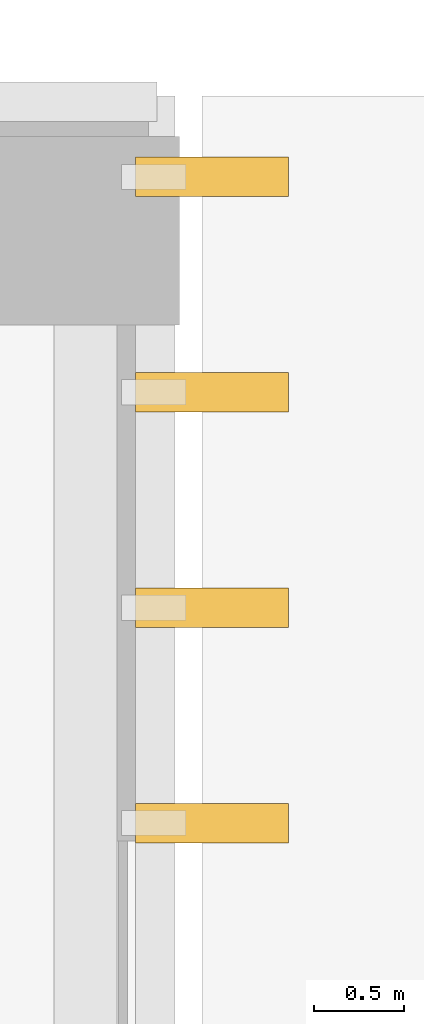
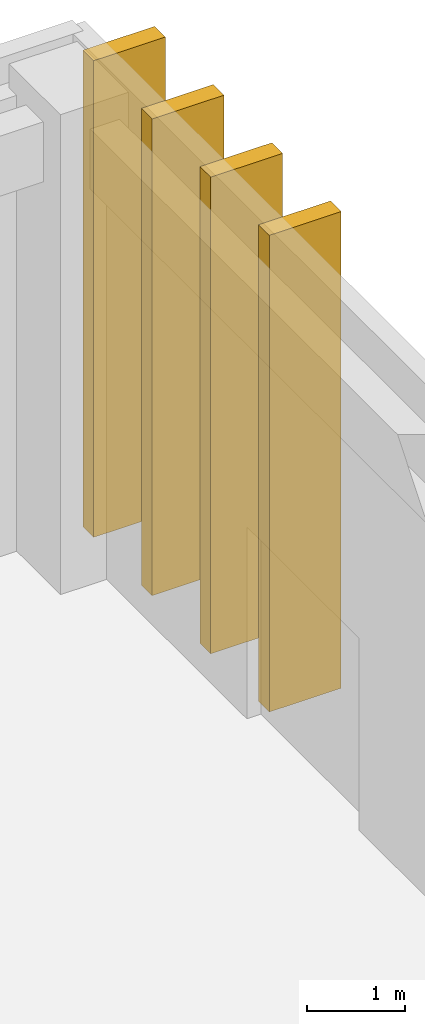
# One storey, part 84 of 87: 4 coverings, 4 shading devices.
"""IFC4 building model written with IfcOpenShell, lengths in metres."""

from ifc_helpers import new_model, si_unit, direction, frame, origin, origin_2d, place, context, subcontext, project, spatial, rectangle, extrude, material, layer, layer_set, type_object, element, save


model = new_model("IFC4")

# Units and contexts
model_context = context("Model", 3, precision=1e-05, world=origin(), true_north=direction((0.0, 1.0)))
body_context = subcontext(model_context, "Body", "Model", "MODEL_VIEW")
ifc_project = project(units=[si_unit("LENGTHUNIT", "METRE"), si_unit("AREAUNIT", "SQUARE_METRE"), si_unit("VOLUMEUNIT", "CUBIC_METRE"), si_unit("PLANEANGLEUNIT", "RADIAN"), si_unit("MASSUNIT", "GRAM", prefix="KILO")], contexts=[model_context])

# Site, building, storey
site_placement = place(None, origin())
site = spatial("IfcSite", under=ifc_project, at=site_placement, CompositionType="ELEMENT")
building_placement = place(site_placement, origin())
building = spatial("IfcBuilding", under=site, at=building_placement, Name="Nakhvara Creek Congress Hotel", CompositionType="ELEMENT")
storey_placement = place(building_placement, origin())
storey = spatial("IfcBuildingStorey", under=building, at=storey_placement, Name="L00", CompositionType="ELEMENT", Elevation=0.0)

# Coverings
ifc_material_1 = material(Name="Honed pale Omani limestone architectural cladding", Category="masonry")
ifc_layer = layer(ifc_material_1, 0.219970703125)
ifc_layer_set = layer_set([ifc_layer], Name="Honed pale Omani limestone architectural cladding")
covering_type = type_object("IfcCoveringType", Name="COV-FIN-850", PredefinedType="CLADDING", material=ifc_layer_set)
for number, where, z_axis, x_axis, name in (
    (1, (180.054931640625, 121.949951171875, 0.0), (0.0, 0.0, 1.0), (0.0, 1.0, 0.0), "Pale Limestone Fin Cladding CF01-0626"),
    (2, (180.054931640625, 123.14990234375, 0.0), (0.0, 0.0, 1.0), (0.0, 1.0, 0.0), "Pale Limestone Fin Cladding CF01-0628"),
    (3, (180.054931640625, 124.35009765625, 0.0), (0.0, 0.0, 1.0), (0.0, 1.0, 0.0), "Pale Limestone Fin Cladding CF01-0630"),
    (4, (180.054931640625, 125.550048828125, 0.0), (0.0, 0.0, 1.0), (0.0, 1.0, 0.0), "Pale Limestone Fin Cladding CF01-0632"),
):
    element("IfcCovering", number, at=place(storey_placement, frame(where, z_axis=z_axis, x_axis=x_axis)), inside=storey, type_object=covering_type, Name=name, PredefinedType="CLADDING", context=body_context, shape_type="SweptSolid", body=[
        extrude(rectangle(XDim=0.219970703125, YDim=0.85009765625, at=origin_2d()), origin(), (0.0, 0.0, 1.0), 5.9599609375),
    ])

# Shading devices
ifc_material_2 = material(Name="Honed pale Omani limestone cladding on stainless steel spine", Category="masonry")
shading_device_type = type_object("IfcShadingDeviceType", Name="SHD-FIN-850X5800", PredefinedType="USERDEFINED", material=ifc_material_2)
for number, where, z_axis, x_axis, name in (
    (5, (180.054931640625, 121.949951171875, 0.0), (0.0, 0.0, 1.0), (0.0, 1.0, 0.0), "Limestone Solar Fin FN03-0491"),
    (6, (180.054931640625, 123.14990234375, 0.0), (0.0, 0.0, 1.0), (0.0, 1.0, 0.0), "Limestone Solar Fin FN03-0493"),
    (7, (180.054931640625, 124.35009765625, 0.0), (0.0, 0.0, 1.0), (0.0, 1.0, 0.0), "Limestone Solar Fin FN03-0495"),
    (8, (180.054931640625, 125.550048828125, 0.0), (0.0, 0.0, 1.0), (0.0, 1.0, 0.0), "Limestone Solar Fin FN03-0497"),
):
    element("IfcShadingDevice", number, at=place(storey_placement, frame(where, z_axis=z_axis, x_axis=x_axis)), inside=storey, type_object=shading_device_type, Name=name, ObjectType="FIN", PredefinedType="USERDEFINED", context=body_context, shape_type="SweptSolid", body=[
        extrude(rectangle(XDim=0.219970703125, YDim=0.85009765625, at=origin_2d()), origin(), (0.0, 0.0, 1.0), 5.9599609375),
    ])

save(model, "model.ifc")
